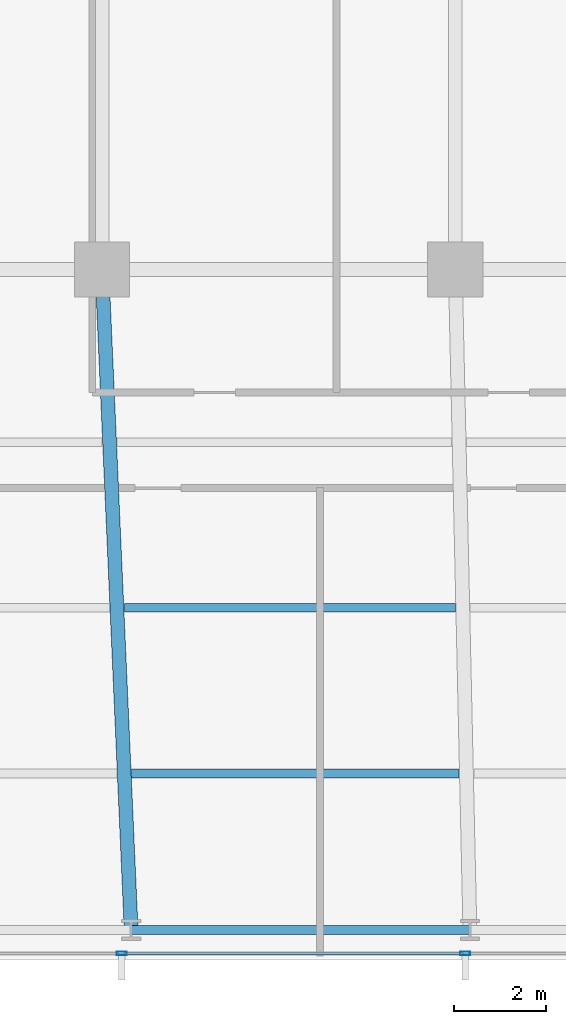
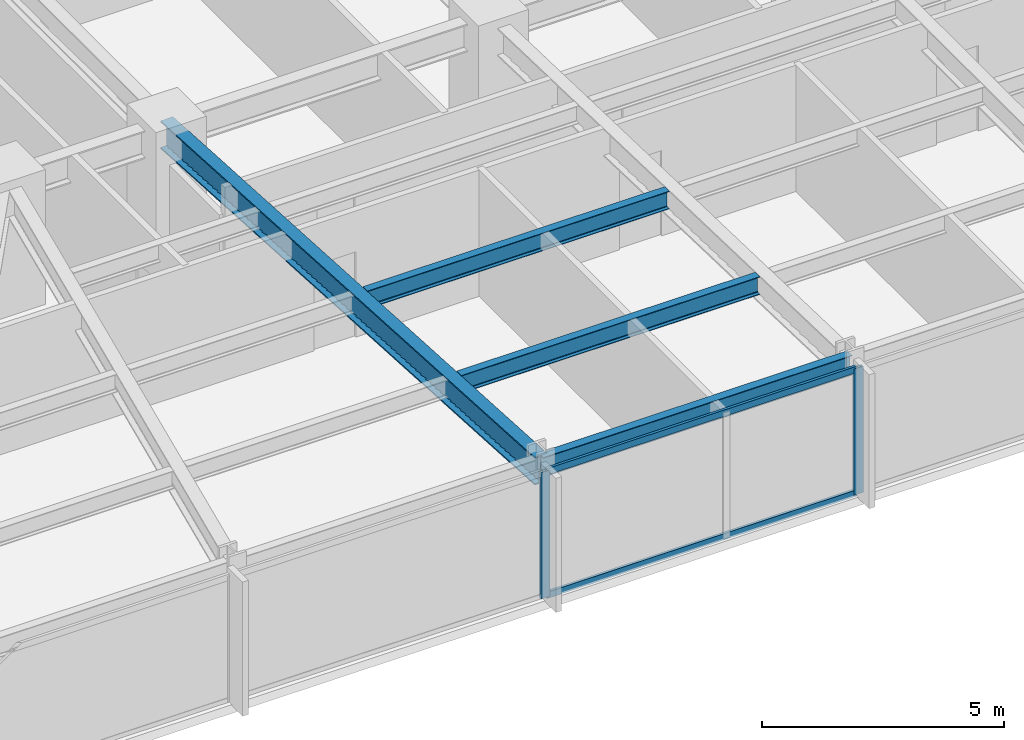
# One storey, part 5 of 33: 4 beams, 4 members, 1 element without a shape of its own.
"""IFC4 building model written with IfcOpenShell, lengths in metres."""

import ifcopenshell
import ifcopenshell.guid

model = None  # the IFC model being written
_history = None  # IfcOwnerHistory: only IFC2X3 demands one
_inside = {}  # id of a spatial element -> (the spatial element, [elements in it])
_under = {}  # id of a project, library or spatial element -> (it, [spatial elements below it])
_declared = {}  # id of a project -> (the project, [libraries it declares])
_typed = {}  # id of a type object -> (the type object, [elements of that type])
_made_of = {}  # id of a material, layer set ... -> (it, [elements and type objects made of it])


def new_model(schema):
    """Start an empty IFC model of exactly this schema.

    Asked for "IFC4X3", IfcOpenShell would pick the latest addendum, in which some entities
    have other attributes; the version numbers below select the first issue.
    IFC2X3 requires an IfcOwnerHistory on every rooted entity: one is made here for all.
    """
    global model, _history
    if schema == "IFC4X3":
        model = ifcopenshell.file(schema_version=(4, 3, 0, 0))
    else:
        model = ifcopenshell.file(schema=schema)
    _inside.clear()
    _under.clear()
    _declared.clear()
    _typed.clear()
    _made_of.clear()
    _history = None
    if model.schema == "IFC2X3":
        org = make("IfcOrganization", Name="unknown")
        user = make(
            "IfcPersonAndOrganization",
            ThePerson=make("IfcPerson", FamilyName="unknown"),
            TheOrganization=org,
        )
        app = make(
            "IfcApplication",
            ApplicationDeveloper=org,
            Version="unknown",
            ApplicationFullName="unknown",
            ApplicationIdentifier="unknown",
        )
        _history = make(
            "IfcOwnerHistory",
            OwningUser=user,
            OwningApplication=app,
            ChangeAction="ADDED",
            CreationDate=0,
        )
    return model


def make(cls, **values):
    """One entity of the class cls with the attributes given. An attribute that is None is left unset."""
    return model.create_entity(
        cls, **{name: value for name, value in values.items() if value is not None}
    )


def rooted(cls, **values):
    """An entity with a GlobalId (a new one), such as an element, a storey or a relation."""
    return make(cls, GlobalId=ifcopenshell.guid.new(), OwnerHistory=_history, **values)


def si_unit(unit_type, name, prefix=None):
    """IfcSIUnit, for example si_unit("LENGTHUNIT", "METRE", prefix="MILLI")."""
    return make("IfcSIUnit", UnitType=unit_type, Prefix=prefix, Name=name)


def assignment(units):
    """IfcUnitAssignment: the units of a project."""
    return None if units is None else make("IfcUnitAssignment", Units=units)


def point(xyz):
    """IfcCartesianPoint."""
    return None if xyz is None else make("IfcCartesianPoint", Coordinates=xyz)


def direction(xyz):
    """IfcDirection."""
    return None if xyz is None else make("IfcDirection", DirectionRatios=xyz)


def frame(location, z_axis=None, x_axis=None):
    """IfcAxis2Placement3D, a coordinate frame: its origin and axes. An axis left out is left unset."""
    return make(
        "IfcAxis2Placement3D",
        Location=point(location),
        Axis=direction(z_axis),
        RefDirection=direction(x_axis),
    )


def frame_2d(location, x_axis=None):
    """IfcAxis2Placement2D, a coordinate frame in the plane: its origin and x axis."""
    return make(
        "IfcAxis2Placement2D", Location=point(location), RefDirection=direction(x_axis)
    )


def origin():
    """The frame at (0, 0, 0) with its axes left unset."""
    return frame((0.0, 0.0, 0.0))


def origin_2d():
    """The frame at (0, 0) in the plane with its x axis left unset."""
    return frame_2d((0.0, 0.0))


def place(relative_to, where):
    """IfcLocalPlacement: puts the frame where relative to a parent placement (None: the world)."""
    return make(
        "IfcLocalPlacement", PlacementRelTo=relative_to, RelativePlacement=where
    )


def context(
    kind, dimensions, precision=None, world=None, true_north=None, identifier=None
):
    """IfcGeometricRepresentationContext, for example the 3D "Model" context."""
    return make(
        "IfcGeometricRepresentationContext",
        ContextIdentifier=identifier,
        ContextType=kind,
        CoordinateSpaceDimension=dimensions,
        Precision=precision,
        WorldCoordinateSystem=world,
        TrueNorth=true_north,
    )


def subcontext(parent, identifier, kind, view, scale=None):
    """IfcGeometricRepresentationSubContext, for example "Body" below "Model"."""
    return make(
        "IfcGeometricRepresentationSubContext",
        ContextIdentifier=identifier,
        ContextType=kind,
        ParentContext=parent,
        TargetScale=scale,
        TargetView=view,
    )


def project(units=None, contexts=None):
    """IfcProject with its units and contexts."""
    return rooted(
        "IfcProject",
        Name="project",
        RepresentationContexts=contexts,
        UnitsInContext=assignment(units),
    )


def spatial(cls, under=None, at=None, **own):
    """A site, building, storey or space (cls), placed at a placement, below another one or the project."""
    s = rooted(cls, ObjectPlacement=at, **own)
    if under is not None:
        _under.setdefault(under.id(), (under, []))[1].append(s)
    return s


def profile(cls, at=None, kind="AREA", **sizes):
    """A parametric profile (cls). Its sizes go by their IFC names, for example OverallWidth=200.0."""
    return make(cls, ProfileType=kind, Position=at, **sizes)


def hollow_rectangle(**sizes):
    """IfcRectangleHollowProfileDef."""
    return profile("IfcRectangleHollowProfileDef", **sizes)


def i_section(**sizes):
    """IfcIShapeProfileDef."""
    return profile("IfcIShapeProfileDef", **sizes)


def extrude(swept, where, along, depth):
    """IfcExtrudedAreaSolid: the profile swept, set in the frame where, extruded along a direction by depth."""
    return make(
        "IfcExtrudedAreaSolid",
        SweptArea=swept,
        Position=where,
        ExtrudedDirection=direction(along),
        Depth=depth,
    )


def shape(context_of_items, identifier, shape_type, items):
    """IfcShapeRepresentation: the items that make up one representation, for example the "Body"."""
    return make(
        "IfcShapeRepresentation",
        ContextOfItems=context_of_items,
        RepresentationIdentifier=identifier,
        RepresentationType=shape_type,
        Items=items,
    )


def material(Name=None, Category=None):
    """IfcMaterial."""
    return make("IfcMaterial", Name=Name, Category=Category)


def material_profile(
    of_material, cross_section, Name=None, Category=None, Priority=None
):
    """IfcMaterialProfile: a cross section and its material."""
    return make(
        "IfcMaterialProfile",
        Name=Name,
        Material=of_material,
        Profile=cross_section,
        Priority=Priority,
        Category=Category,
    )


def profile_set(profiles, Name=None, composite=None):
    """IfcMaterialProfileSet."""
    return make(
        "IfcMaterialProfileSet",
        Name=Name,
        MaterialProfiles=profiles,
        CompositeProfile=composite,
    )


def made_of(thing, what):
    """Note that an element or type object is made of a material, layer set ...; save() writes the relation."""
    if what is not None:
        _made_of.setdefault(what.id(), (what, []))[1].append(thing)
    return thing


def type_object(cls, material=None, **own):
    """A type object (cls), such as IfcWallType, which elements share."""
    return made_of(rooted(cls, **own), material)


def element(
    cls,
    number,
    at=None,
    inside=None,
    cuts=None,
    type_object=None,
    material=None,
    context=None,
    identifier="Body",
    shape_type=None,
    held_by="IfcProductDefinitionShape",
    body=None,
    shapes=None,
    **own,
):
    """One element of the class cls, such as IfcWall. Its Tag is "e" and its number.

    at: its placement. inside: the storey or other place that contains it. cuts: it is an
    opening in that element (IfcRelVoidsElement). A single representation is given by context,
    identifier, shape_type and body (its items); several are given by shapes. held_by: the class
    of the entity that holds the representations. save() writes the other relations.
    """
    e = rooted(cls, Tag="e%d" % number, ObjectPlacement=at, **own)
    if body is not None:
        shapes = [shape(context, identifier, shape_type, body)]
    if shapes is not None:
        e.Representation = make(held_by, Representations=shapes)
    if inside is not None:
        _inside.setdefault(inside.id(), (inside, []))[1].append(e)
    if cuts is not None:
        rooted(
            "IfcRelVoidsElement", RelatingBuildingElement=cuts, RelatedOpeningElement=e
        )
    if type_object is not None:
        _typed.setdefault(type_object.id(), (type_object, []))[1].append(e)
    return made_of(e, material)


def aggregate(whole, parts):
    """IfcRelAggregates: a whole, such as a stair, and the parts it consists of."""
    return rooted("IfcRelAggregates", RelatingObject=whole, RelatedObjects=parts)


def save(model, path):
    """Write the relations noted so far, then the file.

    IfcRelAggregates (storeys below a building ...), IfcRelContainedInSpatialStructure (elements
    in a storey), IfcRelDefinesByType, IfcRelAssociatesMaterial and IfcRelDeclares: one each for
    every whole, place, type object, material and project.
    """
    for whole, parts in _under.values():
        aggregate(whole, parts)
    for where, things in _inside.values():
        rooted(
            "IfcRelContainedInSpatialStructure",
            RelatedElements=things,
            RelatingStructure=where,
        )
    for kind, things in _typed.values():
        rooted("IfcRelDefinesByType", RelatedObjects=things, RelatingType=kind)
    for what, things in _made_of.values():
        rooted("IfcRelAssociatesMaterial", RelatedObjects=things, RelatingMaterial=what)
    for by, libraries in _declared.values():
        rooted("IfcRelDeclares", RelatingContext=by, RelatedDefinitions=libraries)
    model.write(path)


model = new_model("IFC4")

# Units and contexts
model_context = context("Model", 3, precision=1e-05, world=origin(), true_north=direction((0.0, 1.0)))
body_context = subcontext(model_context, "Body", "Model", "MODEL_VIEW")
ifc_project = project(units=[si_unit("LENGTHUNIT", "METRE"), si_unit("AREAUNIT", "SQUARE_METRE"), si_unit("VOLUMEUNIT", "CUBIC_METRE"), si_unit("PLANEANGLEUNIT", "RADIAN"), si_unit("MASSUNIT", "GRAM", prefix="KILO")], contexts=[model_context])

# Site, building, storey
site_placement = place(None, origin())
site = spatial("IfcSite", under=ifc_project, at=site_placement, CompositionType="ELEMENT")
building_placement = place(site_placement, origin())
building = spatial("IfcBuilding", under=site, at=building_placement, Name="Yelkora Congress Tower", CompositionType="ELEMENT")
storey_placement = place(building_placement, frame((0.0, 0.0, 71.199951171875)))
storey = spatial("IfcBuildingStorey", under=building, at=storey_placement, Name="L18", CompositionType="ELEMENT", Elevation=71.199951171875)

# Beams
ifc_material_1 = material(Name="Steel S355J2", Category="steel")
ifc_material_profile_1 = material_profile(ifc_material_1, i_section(OverallWidth=0.300048828125, OverallDepth=0.699951171875, WebThickness=0.01708984375, FlangeThickness=0.031982421875, FilletRadius=0.027099609375, at=origin_2d()), Name="HEB 700")
ifc_profile_set_1 = profile_set([ifc_material_profile_1], Name="Steel S355J2")
beam_type_1 = type_object("IfcBeamType", Name="BM-GIRD-HEB700", PredefinedType="BEAM", material=ifc_profile_set_1)
beam_1_placement = place(storey_placement, frame((23.675048828125, 10.85009765625, 2.830078125), z_axis=(-0.044208738849, 0.999022315771, 0.0), x_axis=(-0.999022315771, -0.044208738849, 0.0)))
element("IfcBeam", 1, at=beam_1_placement, inside=storey, type_object=beam_type_1, Name="L18 Primary Frame Girder S03", PredefinedType="BEAM", context=body_context, shape_type="SweptSolid", body=[
    extrude(i_section(OverallWidth=0.300048828125, OverallDepth=0.699951171875, WebThickness=0.01708984375, FlangeThickness=0.031982421875, FilletRadius=0.027099609375, at=origin_2d()), origin(), (0.0, 0.0, 1.0), 14.364013671875),
])
ifc_material_profile_2 = material_profile(ifc_material_1, i_section(OverallWidth=0.18994140625, OverallDepth=0.449951171875, WebThickness=0.009521484375, FlangeThickness=0.0146484375, FilletRadius=0.02099609375, at=origin_2d()), Name="IPE 450")
ifc_profile_set_2 = profile_set([ifc_material_profile_2], Name="Steel S355J2")
beam_type_2 = type_object("IfcBeamType", Name="BM-JOIST-IPE450", PredefinedType="JOIST", material=ifc_profile_set_2)
beam_2_placement = place(storey_placement, frame((23.6845703125, 14.25, 2.955078125), z_axis=(1.0, 0.0, 0.0), x_axis=(0.0, 1.0, 0.0)))
element("IfcBeam", 2, at=beam_2_placement, inside=storey, type_object=beam_type_2, Name="L18 Composite Floor Joist 3", PredefinedType="JOIST", context=body_context, shape_type="SweptSolid", body=[
    extrude(i_section(OverallWidth=0.18994140625, OverallDepth=0.449951171875, WebThickness=0.009521484375, FlangeThickness=0.0146484375, FilletRadius=0.02099609375, at=origin_2d()), origin(), (0.0, 0.0, 1.0), 7.11767578125),
])
beam_3_placement = place(storey_placement, frame((23.525146484375, 17.85009765625, 2.955078125), z_axis=(1.0, 0.0, 0.0), x_axis=(0.0, 1.0, 0.0)))
element("IfcBeam", 3, at=beam_3_placement, inside=storey, type_object=beam_type_2, Name="L18 Composite Floor Joist 11", PredefinedType="JOIST", context=body_context, shape_type="SweptSolid", body=[
    extrude(i_section(OverallWidth=0.18994140625, OverallDepth=0.449951171875, WebThickness=0.009521484375, FlangeThickness=0.0146484375, FilletRadius=0.02099609375, at=origin_2d()), origin(), (0.0, 0.0, 1.0), 7.197509765625),
])
ifc_material_profile_3 = material_profile(ifc_material_1, i_section(OverallWidth=0.199951171875, OverallDepth=0.5, WebThickness=0.01025390625, FlangeThickness=0.01611328125, FilletRadius=0.02099609375, at=origin_2d()), Name="IPE 500")
ifc_profile_set_3 = profile_set([ifc_material_profile_3], Name="Steel S355J2")
beam_type_3 = type_object("IfcBeamType", Name="BM-SPAN-IPE500", PredefinedType="SPANDREL", material=ifc_profile_set_3)
beam_4_placement = place(storey_placement, frame((23.675048828125, 10.85009765625, 2.929931640625), z_axis=(1.0, 0.0, 0.0), x_axis=(0.0, 1.0, 0.0)))
element("IfcBeam", 4, at=beam_4_placement, inside=storey, type_object=beam_type_3, Name="L18 Perimeter Beam 4", PredefinedType="SPANDREL", context=body_context, shape_type="SweptSolid", body=[
    extrude(i_section(OverallWidth=0.199951171875, OverallDepth=0.5, WebThickness=0.01025390625, FlangeThickness=0.01611328125, FilletRadius=0.02099609375, at=origin_2d()), origin(), (0.0, 0.0, 1.0), 7.362548828125),
])

# Curtain wall, members
ifc_material_2 = material(Name="Anodised aluminium and insulated glass", Category="aluminium")
curtain_wall_type = type_object("IfcCurtainWallType", Name="CW-SYS-B1", PredefinedType="NOTDEFINED", material=ifc_material_2)
curtain_wall_placement = place(storey_placement, origin())
curtain_wall = element("IfcCurtainWall", 5, at=curtain_wall_placement, inside=storey, type_object=curtain_wall_type, Name="L18 Unitised Curtain Wall 20", PredefinedType="NOTDEFINED")
ifc_material_3 = material(Name="Anodised aluminium 6063-T6", Category="aluminium")
ifc_material_profile_4 = material_profile(ifc_material_3, hollow_rectangle(XDim=0.074951171875, YDim=0.219970703125, WallThickness=0.0048828125, at=origin_2d()), Name="ALU 75x220x5")
ifc_profile_set_4 = profile_set([ifc_material_profile_4], Name="Anodised aluminium 6063-T6")
member_type_1 = type_object("IfcMemberType", Name="MEM-ML-B1", PredefinedType="MULLION", material=ifc_profile_set_4)
member_1_placement = place(storey_placement, frame((30.93505859375, 10.340087890625, 0.0), z_axis=(0.0, 0.0, 1.0), x_axis=(0.0, -1.0, 0.0)))
member_1 = element("IfcMember", 6, at=member_1_placement, type_object=member_type_1, Name="CW-B1 mullion 6", PredefinedType="MULLION", context=body_context, shape_type="SweptSolid", body=[
    extrude(hollow_rectangle(XDim=0.074951171875, YDim=0.219970703125, WallThickness=0.0048828125, at=origin_2d()), origin(), (0.0, 0.0, 1.0), 3.179931640625),
])
member_2_placement = place(storey_placement, frame((23.469970703125, 10.340087890625, 0.0), z_axis=(0.0, 0.0, 1.0), x_axis=(0.0, -1.0, 0.0)))
member_2 = element("IfcMember", 7, at=member_2_placement, type_object=member_type_1, Name="CW-B1 mullion 7", PredefinedType="MULLION", context=body_context, shape_type="SweptSolid", body=[
    extrude(hollow_rectangle(XDim=0.074951171875, YDim=0.219970703125, WallThickness=0.0048828125, at=origin_2d()), origin(), (0.0, 0.0, 1.0), 3.179931640625),
])
ifc_material_profile_5 = material_profile(ifc_material_3, hollow_rectangle(XDim=0.06494140625, YDim=0.159912109375, WallThickness=0.00390625, at=origin_2d()), Name="ALU 65x160x4")
ifc_profile_set_5 = profile_set([ifc_material_profile_5], Name="Anodised aluminium 6063-T6")
member_type_2 = type_object("IfcMemberType", Name="MEM-TR-B1", PredefinedType="USERDEFINED", material=ifc_profile_set_5)
member_3_placement = place(storey_placement, frame((30.8974609375, 10.340087890625, 0.032470703125), z_axis=(-1.0, 0.0, 0.0), x_axis=(0.0, -1.0, 0.0)))
member_3 = element("IfcMember", 8, at=member_3_placement, type_object=member_type_2, Name="CW-B1 transom 6.1", ObjectType="TRANSOM", PredefinedType="USERDEFINED", context=body_context, shape_type="SweptSolid", body=[
    extrude(hollow_rectangle(XDim=0.06494140625, YDim=0.159912109375, WallThickness=0.00390625, at=origin_2d()), origin(), (0.0, 0.0, 1.0), 7.389892578125),
])
member_4_placement = place(storey_placement, frame((30.8974609375, 10.340087890625, 3.1474609375), z_axis=(-1.0, 0.0, 0.0), x_axis=(0.0, -1.0, 0.0)))
member_4 = element("IfcMember", 9, at=member_4_placement, type_object=member_type_2, Name="CW-B1 transom 6.2", ObjectType="TRANSOM", PredefinedType="USERDEFINED", context=body_context, shape_type="SweptSolid", body=[
    extrude(hollow_rectangle(XDim=0.06494140625, YDim=0.159912109375, WallThickness=0.00390625, at=origin_2d()), origin(), (0.0, 0.0, 1.0), 7.389892578125),
])
aggregate(curtain_wall, [member_1, member_2, member_3, member_4])

save(model, "model.ifc")
